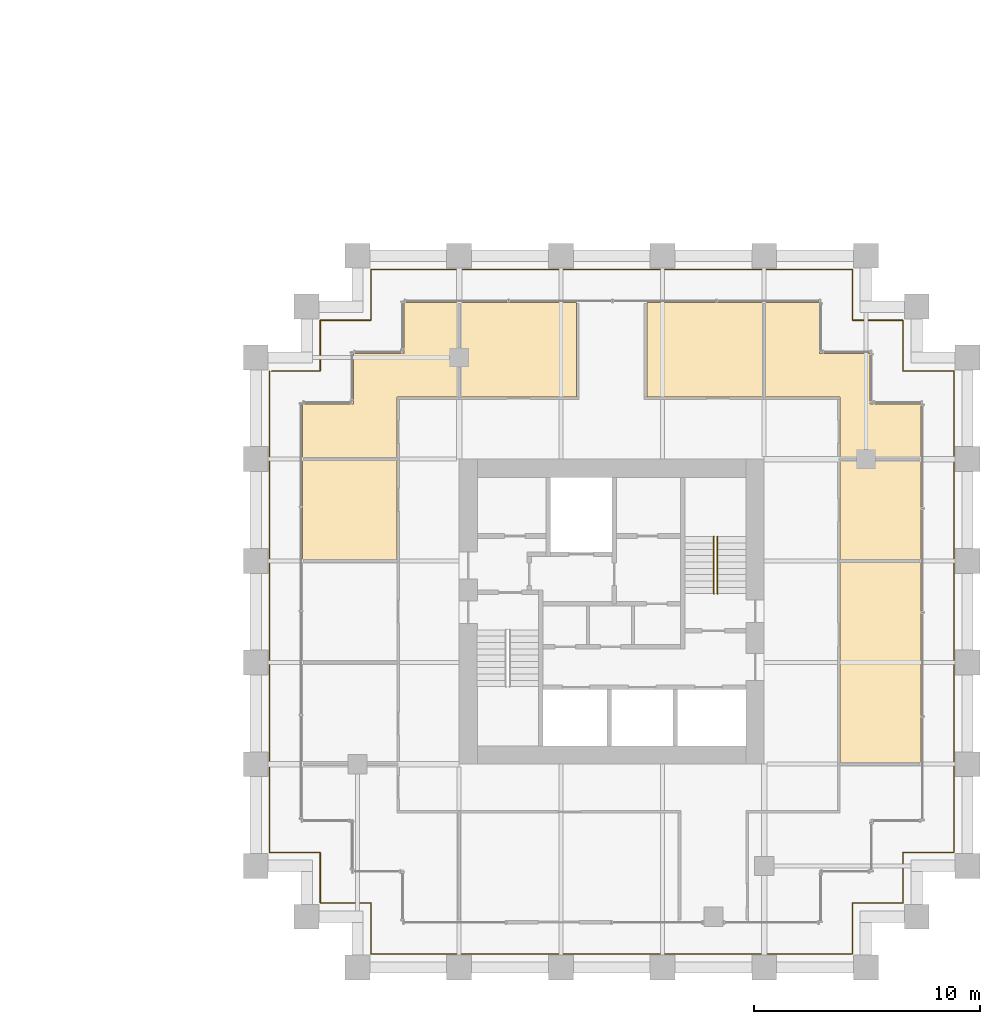
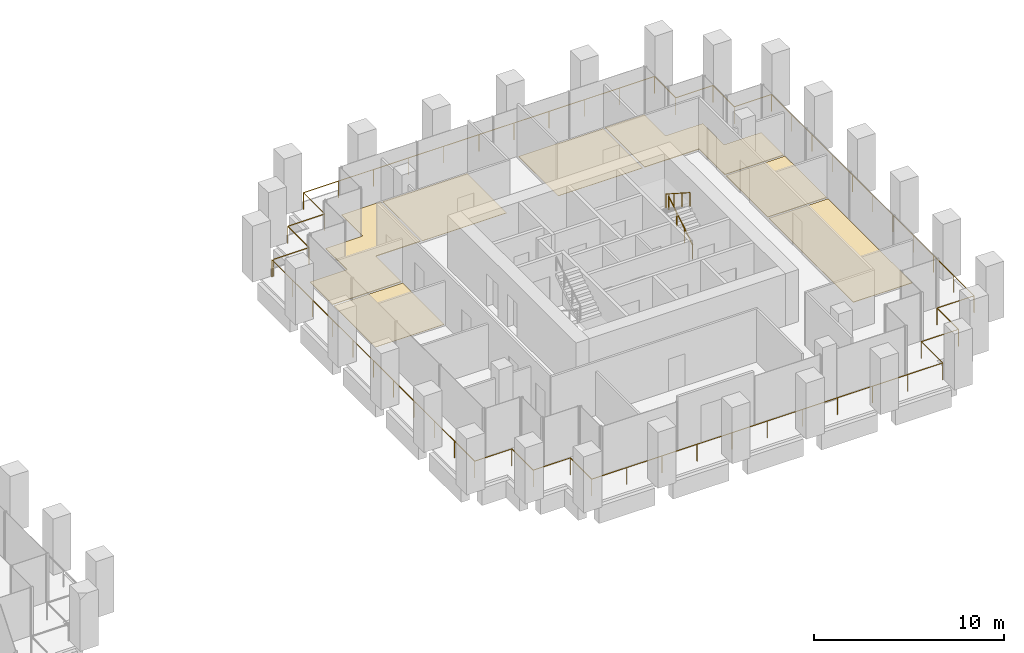
# One storey, part 56 of 56: 7 coverings, 3 railings.
"""IFC4 building model written with IfcOpenShell, lengths in metres."""

from ifc_helpers import new_model, si_unit, direction, frame, origin, origin_2d, place, context, subcontext, project, spatial, polyline, circle, outline, extrude, source, transform, mapped, material, layer, layer_set, type_object, element, save


model = new_model("IFC4")

# Units and contexts
model_context = context("Model", 3, precision=1e-05, world=origin(), true_north=direction((0.0, 1.0)))
body_context = subcontext(model_context, "Body", "Model", "MODEL_VIEW")
ifc_project = project(units=[si_unit("LENGTHUNIT", "METRE"), si_unit("AREAUNIT", "SQUARE_METRE"), si_unit("VOLUMEUNIT", "CUBIC_METRE"), si_unit("PLANEANGLEUNIT", "RADIAN"), si_unit("MASSUNIT", "GRAM", prefix="KILO")], contexts=[model_context])

# Site, building, storey
site_placement = place(None, origin())
site = spatial("IfcSite", under=ifc_project, at=site_placement, CompositionType="ELEMENT")
building_placement = place(site_placement, origin())
building = spatial("IfcBuilding", under=site, at=building_placement, Name="Altepetl Exchange Towers", CompositionType="ELEMENT")
storey_placement = place(building_placement, frame((0.0, 0.0, 54.60009765625)))
storey = spatial("IfcBuildingStorey", under=building, at=storey_placement, Name="L12", CompositionType="ELEMENT", Elevation=54.60009765625)

# Coverings
ifc_material_1 = material(Name="Carpet tile")
ifc_layer_1 = layer(ifc_material_1, 0.02001953125)
ifc_layer_set_1 = layer_set([ifc_layer_1], Name="Carpet tile")
covering_type_1 = type_object("IfcCoveringType", Name="Carpet tile floor", PredefinedType="FLOORING", material=ifc_layer_set_1)
covering_1_placement = place(storey_placement, origin())
element("IfcCovering", 1, at=covering_1_placement, inside=storey, type_object=covering_type_1, Name="Open office floor finish B12.09", PredefinedType="FLOORING", context=body_context, shape_type="SweptSolid", body=[
    extrude(outline(polyline([(111.8125, 52.262451171875), (116.9375, 52.262451171875), (116.9375, 56.4375), (111.8125, 56.4375), (111.8125, 52.262451171875)])), origin(), (0.0, 0.0, 1.0), 0.02001953125),
])
covering_2_placement = place(storey_placement, origin())
element("IfcCovering", 2, at=covering_2_placement, inside=storey, type_object=covering_type_1, Name="Open office floor finish B12.10", PredefinedType="FLOORING", context=body_context, shape_type="SweptSolid", body=[
    extrude(outline(polyline([(108.6875, 56.4375), (103.5625, 56.4375), (103.5625, 52.262451171875), (108.6875, 52.262451171875), (108.6875, 56.4375)])), origin(), (0.0, 0.0, 1.0), 0.02001953125),
])
covering_3_placement = place(storey_placement, origin())
element("IfcCovering", 3, at=covering_3_placement, inside=storey, type_object=covering_type_1, Name="Huddle room floor finish B12.12", PredefinedType="FLOORING", context=body_context, shape_type="SweptSolid", body=[
    extrude(outline(polyline([(100.737548828125, 49.4375), (96.5625, 49.4375), (96.5625, 45.0625), (100.737548828125, 45.0625), (100.737548828125, 49.4375)])), origin(), (0.0, 0.0, 1.0), 0.02001953125),
])
ifc_material_2 = material(Name="Cantera stone", Category="masonry")
ifc_layer_2 = layer(ifc_material_2, 0.030029296875)
ifc_layer_set_2 = layer_set([ifc_layer_2], Name="Cantera stone")
covering_type_2 = type_object("IfcCoveringType", Name="Polished stone floor", PredefinedType="FLOORING", material=ifc_layer_set_2)
covering_4_placement = place(storey_placement, origin())
element("IfcCovering", 4, at=covering_4_placement, inside=storey, type_object=covering_type_2, Name="Cafe floor finish B12.06", PredefinedType="FLOORING", context=body_context, shape_type="SweptSolid", body=[
    extrude(outline(polyline([(120.362548828125, 36.0625), (123.9375, 36.0625), (123.9375, 44.9375), (120.362548828125, 44.9375), (120.362548828125, 36.0625)])), origin(), (0.0, 0.0, 1.0), 0.02978515625),
])
ifc_material_3 = material(Name="Calcium sulphate access floor panel")
ifc_layer_3 = layer(ifc_material_3, 0.0400390625)
ifc_layer_set_3 = layer_set([ifc_layer_3], Name="Calcium sulphate access floor panel")
covering_type_3 = type_object("IfcCoveringType", Name="Raised access floor panels", PredefinedType="FLOORING", material=ifc_layer_set_3)
covering_5_placement = place(storey_placement, origin())
element("IfcCovering", 5, at=covering_5_placement, inside=storey, type_object=covering_type_3, Name="Data room floor finish B12.07", PredefinedType="FLOORING", context=body_context, shape_type="SweptSolid", body=[
    extrude(outline(polyline([(123.9375, 49.4375), (120.362548828125, 49.4375), (120.362548828125, 45.0625), (123.9375, 45.0625), (123.9375, 49.4375)])), origin(), (0.0, 0.0, 1.0), 0.039794921875),
])
covering_6_placement = place(storey_placement, origin())
element("IfcCovering", 6, at=covering_6_placement, inside=storey, type_object=covering_type_3, Name="Clearing office floor finish B12.08", PredefinedType="FLOORING", context=body_context, shape_type="SweptSolid", body=[
    extrude(outline(polyline([(119.4375, 54.1875), (119.4375, 56.4375), (117.0625, 56.4375), (117.0625, 52.262451171875), (120.362548828125, 52.262451171875), (120.362548828125, 49.5625), (123.9375, 49.5625), (123.9375, 51.9375), (121.6875, 51.9375), (121.6875, 54.1875), (119.4375, 54.1875)])), origin(), (0.0, 0.0, 1.0), 0.039794921875),
])
covering_7_placement = place(storey_placement, origin())
element("IfcCovering", 7, at=covering_7_placement, inside=storey, type_object=covering_type_3, Name="Settlement office floor finish B12.11", PredefinedType="FLOORING", context=body_context, shape_type="SweptSolid", body=[
    extrude(outline(polyline([(101.0625, 56.4375), (101.0625, 54.1875), (98.8125, 54.1875), (98.8125, 51.9375), (96.5625, 51.9375), (96.5625, 49.5625), (100.737548828125, 49.5625), (100.737548828125, 52.262451171875), (103.4375, 52.262451171875), (103.4375, 56.4375), (101.0625, 56.4375)])), origin(), (0.0, 0.0, 1.0), 0.039794921875),
])

# Railings
ifc_material_4 = material(Name="Steel S355", Category="steel")
railing_type_1 = type_object("IfcRailingType", Name="Guard 1100 steel posts and rail", PredefinedType="GUARDRAIL", material=ifc_material_4)
shared_shape_1 = source(origin(), body_context, "Body", "SweptSolid", [
    extrude(circle(Radius=0.02099609375, at=origin_2d()), origin(), (0.0, 0.0, 1.0), 1.052001953125),
])
railing_1_placement = place(storey_placement, frame((95.10009765625, 53.39990234375, 0.0)))
element("IfcRailing", 8, at=railing_1_placement, inside=storey, type_object=railing_type_1, Name="Loggia guard", PredefinedType="GUARDRAIL", context=body_context, shape_type="SweptSolid", body=[
    extrude(circle(Radius=0.02392578125, at=origin_2d()), frame((0.0, 0.0, 1.076171875), z_axis=(0.0, -1.0, 0.0), x_axis=(1.0, 0.0, 0.0)), (0.0, 0.0, 1.0), 21.2998046875),
    extrude(circle(Radius=0.02392578125, at=origin_2d()), frame((0.0, -21.2998046875, 1.076171875), z_axis=(1.0, 0.0, 0.0), x_axis=(0.0, 1.0, 0.0)), (0.0, 0.0, 1.0), 2.25),
    extrude(circle(Radius=0.02392578125, at=origin_2d()), frame((2.25, -21.2998046875, 1.076171875), z_axis=(0.0, -1.0, 0.0), x_axis=(1.0, 0.0, 0.0)), (0.0, 0.0, 1.0), 2.25),
    extrude(circle(Radius=0.02392578125, at=origin_2d()), frame((2.25, -23.5498046875, 1.076171875), z_axis=(1.0, 0.0, 0.0), x_axis=(0.0, 1.0, 0.0)), (0.0, 0.0, 1.0), 2.25),
    extrude(circle(Radius=0.02392578125, at=origin_2d()), frame((4.5, -23.5498046875, 1.076171875), z_axis=(0.0, -1.0, 0.0), x_axis=(1.0, 0.0, 0.0)), (0.0, 0.0, 1.0), 2.25),
    extrude(circle(Radius=0.02392578125, at=origin_2d()), frame((4.5, -25.7998046875, 1.076171875), z_axis=(1.0, 0.0, 0.0), x_axis=(0.0, 1.0, 0.0)), (0.0, 0.0, 1.0), 21.2998046875),
    extrude(circle(Radius=0.02392578125, at=origin_2d()), frame((25.7998046875, -25.7998046875, 1.076171875), z_axis=(0.0, 1.0, 0.0), x_axis=(-1.0, 0.0, 0.0)), (0.0, 0.0, 1.0), 2.25),
    extrude(circle(Radius=0.02392578125, at=origin_2d()), frame((25.7998046875, -23.5498046875, 1.076171875), z_axis=(1.0, 0.0, 0.0), x_axis=(0.0, 1.0, 0.0)), (0.0, 0.0, 1.0), 2.25),
    extrude(circle(Radius=0.02392578125, at=origin_2d()), frame((28.0498046875, -23.5498046875, 1.076171875), z_axis=(0.0, 1.0, 0.0), x_axis=(-1.0, 0.0, 0.0)), (0.0, 0.0, 1.0), 2.25),
    extrude(circle(Radius=0.02392578125, at=origin_2d()), frame((28.0498046875, -21.2998046875, 1.076171875), z_axis=(1.0, 0.0, 0.0), x_axis=(0.0, 1.0, 0.0)), (0.0, 0.0, 1.0), 2.25),
    extrude(circle(Radius=0.02392578125, at=origin_2d()), frame((30.2998046875, -21.2998046875, 1.076171875), z_axis=(0.0, 1.0, 0.0), x_axis=(-1.0, 0.0, 0.0)), (0.0, 0.0, 1.0), 21.2998046875),
    extrude(circle(Radius=0.02392578125, at=origin_2d()), frame((30.2998046875, 0.0, 1.076171875), z_axis=(-1.0, 0.0, 0.0), x_axis=(0.0, -1.0, 0.0)), (0.0, 0.0, 1.0), 2.25),
    extrude(circle(Radius=0.02392578125, at=origin_2d()), frame((28.0498046875, 0.0, 1.076171875), z_axis=(0.0, 1.0, 0.0), x_axis=(-1.0, 0.0, 0.0)), (0.0, 0.0, 1.0), 2.25),
    extrude(circle(Radius=0.02392578125, at=origin_2d()), frame((28.0498046875, 2.25, 1.076171875), z_axis=(-1.0, 0.0, 0.0), x_axis=(0.0, -1.0, 0.0)), (0.0, 0.0, 1.0), 2.25),
    extrude(circle(Radius=0.02392578125, at=origin_2d()), frame((25.7998046875, 2.25, 1.076171875), z_axis=(0.0, 1.0, 0.0), x_axis=(-1.0, 0.0, 0.0)), (0.0, 0.0, 1.0), 2.25),
    extrude(circle(Radius=0.02392578125, at=origin_2d()), frame((25.7998046875, 4.5, 1.076171875), z_axis=(-1.0, 0.0, 0.0), x_axis=(0.0, -1.0, 0.0)), (0.0, 0.0, 1.0), 21.2998046875),
    extrude(circle(Radius=0.02392578125, at=origin_2d()), frame((4.5, 4.5, 1.076171875), z_axis=(0.0, -1.0, 0.0), x_axis=(1.0, 0.0, 0.0)), (0.0, 0.0, 1.0), 2.25),
    extrude(circle(Radius=0.02392578125, at=origin_2d()), frame((4.5, 2.25, 1.076171875), z_axis=(-1.0, 0.0, 0.0), x_axis=(0.0, -1.0, 0.0)), (0.0, 0.0, 1.0), 2.25),
    extrude(circle(Radius=0.02392578125, at=origin_2d()), frame((2.25, 2.25, 1.076171875), z_axis=(0.0, -1.0, 0.0), x_axis=(1.0, 0.0, 0.0)), (0.0, 0.0, 1.0), 2.25),
    extrude(circle(Radius=0.02392578125, at=origin_2d()), frame((2.25, 0.0, 1.076171875), z_axis=(-1.0, 0.0, 0.0), x_axis=(0.0, -1.0, 0.0)), (0.0, 0.0, 1.0), 2.150146484375),
    mapped(shared_shape_1, transform((0.0, 0.0, 0.0))),
    mapped(shared_shape_1, transform((0.0, -2.1298828125, 0.0))),
    mapped(shared_shape_1, transform((0.0, -4.260009765625, 0.0))),
    mapped(shared_shape_1, transform((0.0, -6.389892578125, 0.0))),
    mapped(shared_shape_1, transform((0.0, -8.52001953125, 0.0))),
    mapped(shared_shape_1, transform((0.0, -10.64990234375, 0.0))),
    mapped(shared_shape_1, transform((0.0, -12.77978515625, 0.0))),
    mapped(shared_shape_1, transform((0.0, -14.909912109375, 0.0))),
    mapped(shared_shape_1, transform((0.0, -17.039794921875, 0.0))),
    mapped(shared_shape_1, transform((0.0, -19.169921875, 0.0))),
    mapped(shared_shape_1, transform((0.0, -21.2998046875, 0.0))),
    mapped(shared_shape_1, transform((2.25, -21.2998046875, 0.0))),
    mapped(shared_shape_1, transform((2.25, -23.5498046875, 0.0))),
    mapped(shared_shape_1, transform((4.5, -23.5498046875, 0.0))),
    mapped(shared_shape_1, transform((4.5, -25.7998046875, 0.0))),
    mapped(shared_shape_1, transform((6.6298828125, -25.7998046875, 0.0))),
    mapped(shared_shape_1, transform((8.760009765625, -25.7998046875, 0.0))),
    mapped(shared_shape_1, transform((10.889892578125, -25.7998046875, 0.0))),
    mapped(shared_shape_1, transform((13.02001953125, -25.7998046875, 0.0))),
    mapped(shared_shape_1, transform((15.14990234375, -25.7998046875, 0.0))),
    mapped(shared_shape_1, transform((17.27978515625, -25.7998046875, 0.0))),
    mapped(shared_shape_1, transform((19.409912109375, -25.7998046875, 0.0))),
    mapped(shared_shape_1, transform((21.539794921875, -25.7998046875, 0.0))),
    mapped(shared_shape_1, transform((23.669921875, -25.7998046875, 0.0))),
    mapped(shared_shape_1, transform((25.7998046875, -25.7998046875, 0.0))),
    mapped(shared_shape_1, transform((25.7998046875, -23.5498046875, 0.0))),
    mapped(shared_shape_1, transform((28.0498046875, -23.5498046875, 0.0))),
    mapped(shared_shape_1, transform((28.0498046875, -21.2998046875, 0.0))),
    mapped(shared_shape_1, transform((30.2998046875, -21.2998046875, 0.0))),
    mapped(shared_shape_1, transform((30.2998046875, -19.169921875, 0.0))),
    mapped(shared_shape_1, transform((30.2998046875, -17.039794921875, 0.0))),
    mapped(shared_shape_1, transform((30.2998046875, -14.909912109375, 0.0))),
    mapped(shared_shape_1, transform((30.2998046875, -12.77978515625, 0.0))),
    mapped(shared_shape_1, transform((30.2998046875, -10.64990234375, 0.0))),
    mapped(shared_shape_1, transform((30.2998046875, -8.52001953125, 0.0))),
    mapped(shared_shape_1, transform((30.2998046875, -6.389892578125, 0.0))),
    mapped(shared_shape_1, transform((30.2998046875, -4.260009765625, 0.0))),
    mapped(shared_shape_1, transform((30.2998046875, -2.1298828125, 0.0))),
    mapped(shared_shape_1, transform((30.2998046875, 0.0, 0.0))),
    mapped(shared_shape_1, transform((28.0498046875, 0.0, 0.0))),
    mapped(shared_shape_1, transform((28.0498046875, 2.25, 0.0))),
    mapped(shared_shape_1, transform((25.7998046875, 2.25, 0.0))),
    mapped(shared_shape_1, transform((25.7998046875, 4.5, 0.0))),
    mapped(shared_shape_1, transform((23.669921875, 4.5, 0.0))),
    mapped(shared_shape_1, transform((21.539794921875, 4.5, 0.0))),
    mapped(shared_shape_1, transform((19.409912109375, 4.5, 0.0))),
    mapped(shared_shape_1, transform((17.27978515625, 4.5, 0.0))),
    mapped(shared_shape_1, transform((15.14990234375, 4.5, 0.0))),
    mapped(shared_shape_1, transform((13.02001953125, 4.5, 0.0))),
    mapped(shared_shape_1, transform((10.889892578125, 4.5, 0.0))),
    mapped(shared_shape_1, transform((8.760009765625, 4.5, 0.0))),
    mapped(shared_shape_1, transform((6.6298828125, 4.5, 0.0))),
    mapped(shared_shape_1, transform((4.5, 4.5, 0.0))),
    mapped(shared_shape_1, transform((4.5, 2.25, 0.0))),
    mapped(shared_shape_1, transform((2.25, 2.25, 0.0))),
    mapped(shared_shape_1, transform((2.25, 0.0, 0.0))),
    mapped(shared_shape_1, transform((0.099853515625, 0.0, 0.0))),
])
ifc_material_5 = material(Name="Steel", Category="steel")
railing_type_2 = type_object("IfcRailingType", Name="Stair handrail 50 steel tube", PredefinedType="HANDRAIL", material=ifc_material_5)
shared_shape_2 = source(origin(), body_context, "Body", "SweptSolid", [
    extrude(circle(Radius=0.02099609375, at=origin_2d()), origin(), (0.0, 0.0, 1.0), 0.851806640625),
])
railing_2_placement = place(storey_placement, frame((114.929931640625, 43.550048828125, 0.179931640625)))
element("IfcRailing", 9, at=railing_2_placement, inside=storey, type_object=railing_type_2, Name="Stair handrail", PredefinedType="HANDRAIL", context=body_context, shape_type="SweptSolid", body=[
    extrude(circle(Radius=0.02392578125, at=origin_2d()), frame((0.0, 0.0, 0.8759765625), z_axis=(0.0, 0.841199657755, 0.540724639528), x_axis=(-1.0, 0.0, 0.0)), (0.0, 0.0, 1.0), 2.995849609375),
    mapped(shared_shape_2, transform((0.0, 0.0, 0.0))),
    mapped(shared_shape_2, transform((0.0, 0.840087890625, 0.5400390625))),
    mapped(shared_shape_2, transform((0.0, 1.679931640625, 1.079833984375))),
    mapped(shared_shape_2, transform((0.0, 2.52001953125, 1.619873046875))),
])
railing_3_placement = place(storey_placement, frame((114.77001953125, 46.070068359375, 1.97998046875)))
element("IfcRailing", 10, at=railing_3_placement, inside=storey, type_object=railing_type_2, Name="Stair handrail", PredefinedType="HANDRAIL", context=body_context, shape_type="SweptSolid", body=[
    extrude(circle(Radius=0.02392578125, at=origin_2d()), frame((0.0, 0.0, 0.8759765625), z_axis=(0.0, -0.841199657755, 0.540724639528), x_axis=(1.0, 0.0, 0.0)), (0.0, 0.0, 1.0), 2.995849609375),
    mapped(shared_shape_2, transform((0.0, 0.0, 0.0))),
    mapped(shared_shape_2, transform((0.0, -0.840087890625, 0.5400390625))),
    mapped(shared_shape_2, transform((0.0, -1.679931640625, 1.079833984375))),
    mapped(shared_shape_2, transform((0.0, -2.52001953125, 1.619873046875))),
])

save(model, "model.ifc")
